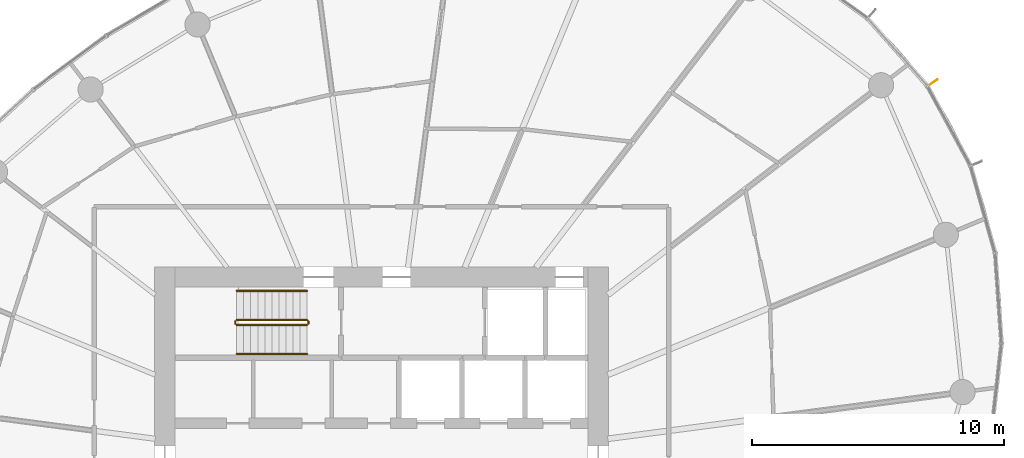
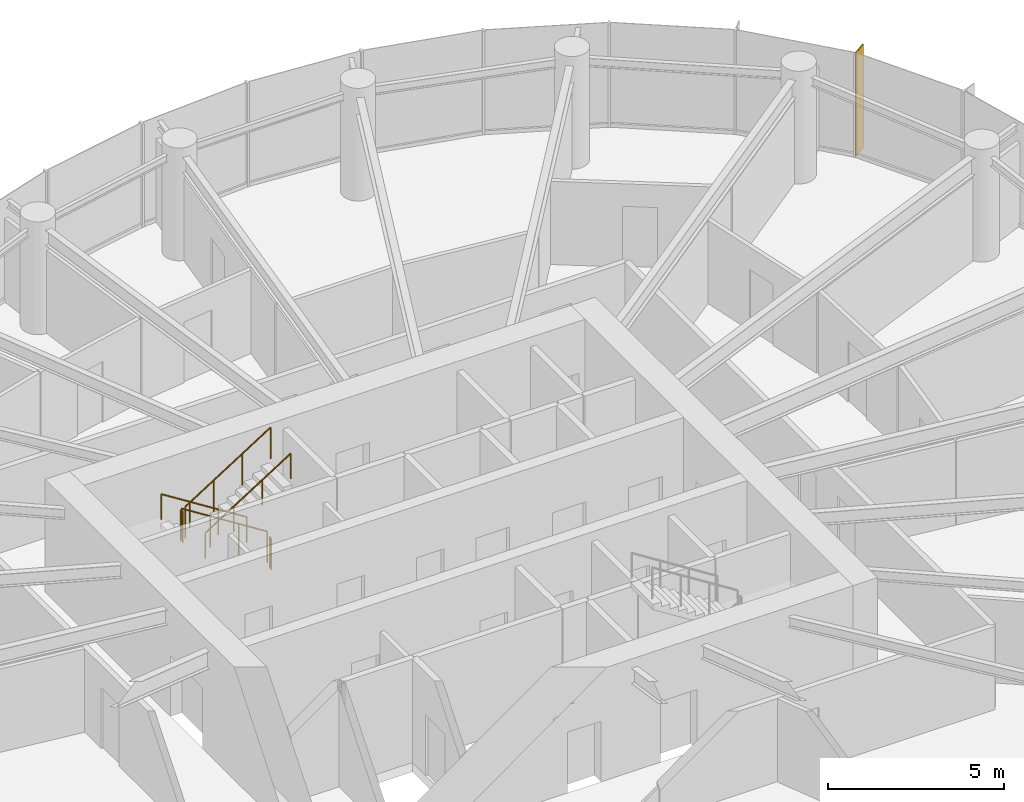
# One storey, part 14 of 15: 6 railings, 1 shading device.
"""IFC4 building model written with IfcOpenShell, lengths in metres."""

from ifc_helpers import new_model, si_unit, direction, frame, origin, origin_2d, place, context, subcontext, project, spatial, rectangle, circle, extrude, source, transform, mapped, material, material_profile, profile_set, type_object, element, save


model = new_model("IFC4")

# Units and contexts
model_context = context("Model", 3, precision=1e-05, world=origin(), true_north=direction((0.0, 1.0)))
body_context = subcontext(model_context, "Body", "Model", "MODEL_VIEW")
ifc_project = project(units=[si_unit("LENGTHUNIT", "METRE"), si_unit("AREAUNIT", "SQUARE_METRE"), si_unit("VOLUMEUNIT", "CUBIC_METRE"), si_unit("PLANEANGLEUNIT", "RADIAN"), si_unit("MASSUNIT", "GRAM", prefix="KILO")], contexts=[model_context])

# Site, building, storey
site_placement = place(None, origin())
site = spatial("IfcSite", under=ifc_project, at=site_placement, CompositionType="ELEMENT")
building_placement = place(site_placement, origin())
building = spatial("IfcBuilding", under=site, at=building_placement, Name="Spindrift Exchange Tower", CompositionType="ELEMENT")
storey_placement = place(building_placement, frame((0.0, 0.0, 168.199951171875)))
storey = spatial("IfcBuildingStorey", under=building, at=storey_placement, Name="L40", CompositionType="ELEMENT", Elevation=168.199951171875)

# Railings
ifc_material_1 = material(Name="Steel balustrade", Category="steel")
railing_type_1 = type_object("IfcRailingType", Name="RL-STAIR-GUARD", PredefinedType="GUARDRAIL", material=ifc_material_1)
railing_1_placement = place(storey_placement, frame((49.050048828125, 53.89990234375, 0.17724609375)))
element("IfcRailing", 1, at=railing_1_placement, inside=storey, type_object=railing_type_1, Name="L40 ST1 stair guard 1", PredefinedType="GUARDRAIL", context=body_context, shape_type="SweptSolid", body=[
    extrude(circle(Radius=0.02392578125, at=origin_2d()), frame((0.0, 0.0, 1.076171875), z_axis=(-0.844908973607, 0.0, 0.534910110503), x_axis=(0.0, -1.0, 0.0)), (0.0, 0.0, 1.0), 3.31396484375),
    extrude(circle(Radius=0.02099609375, at=origin_2d()), origin(), (0.0, 0.0, 1.0), 1.052001953125),
    extrude(circle(Radius=0.02099609375, at=origin_2d()), frame((-0.933349609375, 0.0, 0.5908203125)), (0.0, 0.0, 1.0), 1.052001953125),
    extrude(circle(Radius=0.02099609375, at=origin_2d()), frame((-1.86669921875, 0.0, 1.181884765625)), (0.0, 0.0, 1.0), 1.052001953125),
    extrude(circle(Radius=0.02099609375, at=origin_2d()), frame((-2.800048828125, 0.0, 1.772705078125)), (0.0, 0.0, 1.0), 1.052001953125),
])
railing_2_placement = place(storey_placement, frame((46.199951171875, 53.85009765625, 1.949951171875)))
element("IfcRailing", 2, at=railing_2_placement, inside=storey, type_object=railing_type_1, Name="L40 ST1 stair guard 2", PredefinedType="GUARDRAIL", context=body_context, shape_type="SweptSolid", body=[
    extrude(circle(Radius=0.02392578125, at=origin_2d()), frame((0.0, 0.0, 1.076171875), z_axis=(0.0, -1.0, 0.0), x_axis=(1.0, 0.0, 0.0)), (0.0, 0.0, 1.0), 0.10009765625),
    extrude(circle(Radius=0.02099609375, at=origin_2d()), origin(), (0.0, 0.0, 1.0), 1.052001953125),
    extrude(circle(Radius=0.02099609375, at=origin_2d()), frame((0.0, -0.10009765625, 0.0)), (0.0, 0.0, 1.0), 1.052001953125),
])
railing_3_placement = place(storey_placement, frame((46.25, 53.699951171875, 2.12744140625)))
element("IfcRailing", 3, at=railing_3_placement, inside=storey, type_object=railing_type_1, Name="L40 ST1 stair guard 3", PredefinedType="GUARDRAIL", context=body_context, shape_type="SweptSolid", body=[
    extrude(circle(Radius=0.02392578125, at=origin_2d()), frame((0.0, 0.0, 1.076171875), z_axis=(0.844908973607, 0.0, 0.534910110503), x_axis=(0.0, 1.0, 0.0)), (0.0, 0.0, 1.0), 3.31396484375),
    extrude(circle(Radius=0.02099609375, at=origin_2d()), origin(), (0.0, 0.0, 1.0), 1.052001953125),
    extrude(circle(Radius=0.02099609375, at=origin_2d()), frame((0.933349609375, 0.0, 0.5908203125)), (0.0, 0.0, 1.0), 1.052001953125),
    extrude(circle(Radius=0.02099609375, at=origin_2d()), frame((1.86669921875, 0.0, 1.181884765625)), (0.0, 0.0, 1.0), 1.052001953125),
    extrude(circle(Radius=0.02099609375, at=origin_2d()), frame((2.800048828125, 0.0, 1.772705078125)), (0.0, 0.0, 1.0), 1.052001953125),
])
railing_4_placement = place(storey_placement, frame((49.10009765625, 53.85009765625, 0.0)))
element("IfcRailing", 4, at=railing_4_placement, inside=storey, type_object=railing_type_1, Name="L40 ST1 stair guard 4", PredefinedType="GUARDRAIL", context=body_context, shape_type="SweptSolid", body=[
    extrude(circle(Radius=0.02392578125, at=origin_2d()), frame((0.0, 0.0, 1.076171875), z_axis=(0.0, -1.0, 0.0), x_axis=(1.0, 0.0, 0.0)), (0.0, 0.0, 1.0), 0.10009765625),
    extrude(circle(Radius=0.02099609375, at=origin_2d()), origin(), (0.0, 0.0, 1.0), 1.052001953125),
    extrude(circle(Radius=0.02099609375, at=origin_2d()), frame((0.0, -0.10009765625, 0.0)), (0.0, 0.0, 1.0), 1.052001953125),
])
ifc_material_2 = material(Name="Steel tubular handrail", Category="steel")
railing_type_2 = type_object("IfcRailingType", Name="RL-STAIR-HAND", PredefinedType="HANDRAIL", material=ifc_material_2)
railing_5_placement = place(storey_placement, frame((49.050048828125, 55.050048828125, 0.17724609375)))
element("IfcRailing", 5, at=railing_5_placement, inside=storey, type_object=railing_type_2, Name="L40 ST1 stair handrail 1", PredefinedType="HANDRAIL", context=body_context, shape_type="SweptSolid", body=[
    extrude(circle(Radius=0.02392578125, at=origin_2d()), frame((0.0, 0.0, 0.8759765625), z_axis=(-0.844908973607, 0.0, 0.534910110503), x_axis=(0.0, -1.0, 0.0)), (0.0, 0.0, 1.0), 3.31396484375),
    extrude(circle(Radius=0.02099609375, at=origin_2d()), origin(), (0.0, 0.0, 1.0), 0.851806640625),
    extrude(circle(Radius=0.02099609375, at=origin_2d()), frame((-0.933349609375, 0.0, 0.5908203125)), (0.0, 0.0, 1.0), 0.851806640625),
    extrude(circle(Radius=0.02099609375, at=origin_2d()), frame((-1.86669921875, 0.0, 1.181884765625)), (0.0, 0.0, 1.0), 0.851806640625),
    extrude(circle(Radius=0.02099609375, at=origin_2d()), frame((-2.800048828125, 0.0, 1.772705078125)), (0.0, 0.0, 1.0), 0.851806640625),
])
railing_6_placement = place(storey_placement, frame((46.25, 52.550048828125, 2.12744140625)))
element("IfcRailing", 6, at=railing_6_placement, inside=storey, type_object=railing_type_2, Name="L40 ST1 stair handrail 2", PredefinedType="HANDRAIL", context=body_context, shape_type="SweptSolid", body=[
    extrude(circle(Radius=0.02392578125, at=origin_2d()), frame((0.0, 0.0, 0.8759765625), z_axis=(0.844908973607, 0.0, 0.534910110503), x_axis=(0.0, 1.0, 0.0)), (0.0, 0.0, 1.0), 3.31396484375),
    extrude(circle(Radius=0.02099609375, at=origin_2d()), origin(), (0.0, 0.0, 1.0), 0.851806640625),
    extrude(circle(Radius=0.02099609375, at=origin_2d()), frame((0.933349609375, 0.0, 0.5908203125)), (0.0, 0.0, 1.0), 0.851806640625),
    extrude(circle(Radius=0.02099609375, at=origin_2d()), frame((1.86669921875, 0.0, 1.181884765625)), (0.0, 0.0, 1.0), 0.851806640625),
    extrude(circle(Radius=0.02099609375, at=origin_2d()), frame((2.800048828125, 0.0, 1.772705078125)), (0.0, 0.0, 1.0), 0.851806640625),
])

# Shading device
ifc_material_3 = material(Name="Bronze anodised aluminium", Category="aluminium")
ifc_material_profile = material_profile(ifc_material_3, rectangle(XDim=0.030029296875, YDim=0.5, at=origin_2d()), Name="WIND FIN 30X500")
ifc_profile_set = profile_set([ifc_material_profile], Name="Bronze anodised aluminium")
shading_device_type = type_object("IfcShadingDeviceType", Name="WIND FIN 30X500", PredefinedType="USERDEFINED", material=ifc_profile_set)
shared_shape = source(origin(), body_context, "Body", "SweptSolid", [
    extrude(rectangle(XDim=0.030029296875, YDim=0.5, at=origin_2d()), origin(), (0.0, 0.0, 1.0), 3.580078125),
])
shading_device_placement = place(storey_placement, frame((73.856201171875, 63.303955078125, 0.0), z_axis=(0.0, 0.0, 1.0), x_axis=(-0.573579295728, 0.819150042125, 0.0)))
element("IfcShadingDevice", 7, at=shading_device_placement, inside=storey, type_object=shading_device_type, Name="L40 wind fin 2", ObjectType="FIN", PredefinedType="USERDEFINED", context=body_context, shape_type="MappedRepresentation", body=[
    mapped(shared_shape, transform((0.0, 0.0, 0.0), scale=1.0)),
])

save(model, "model.ifc")
